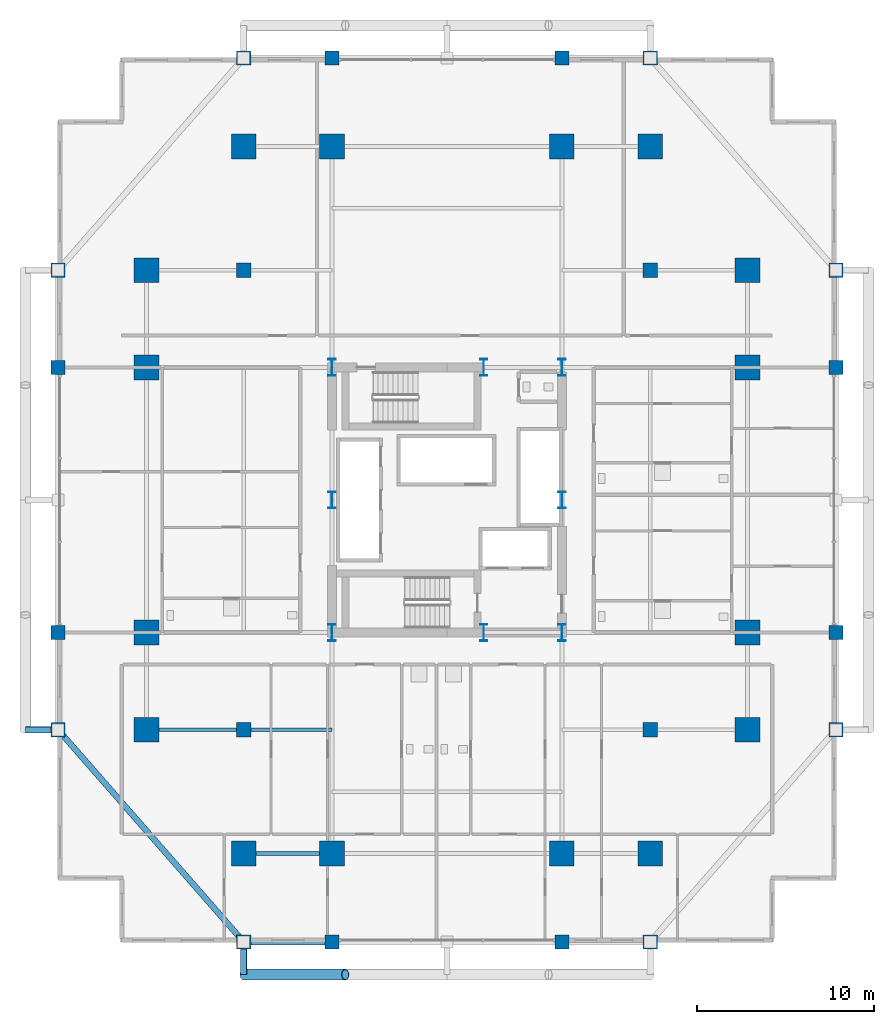
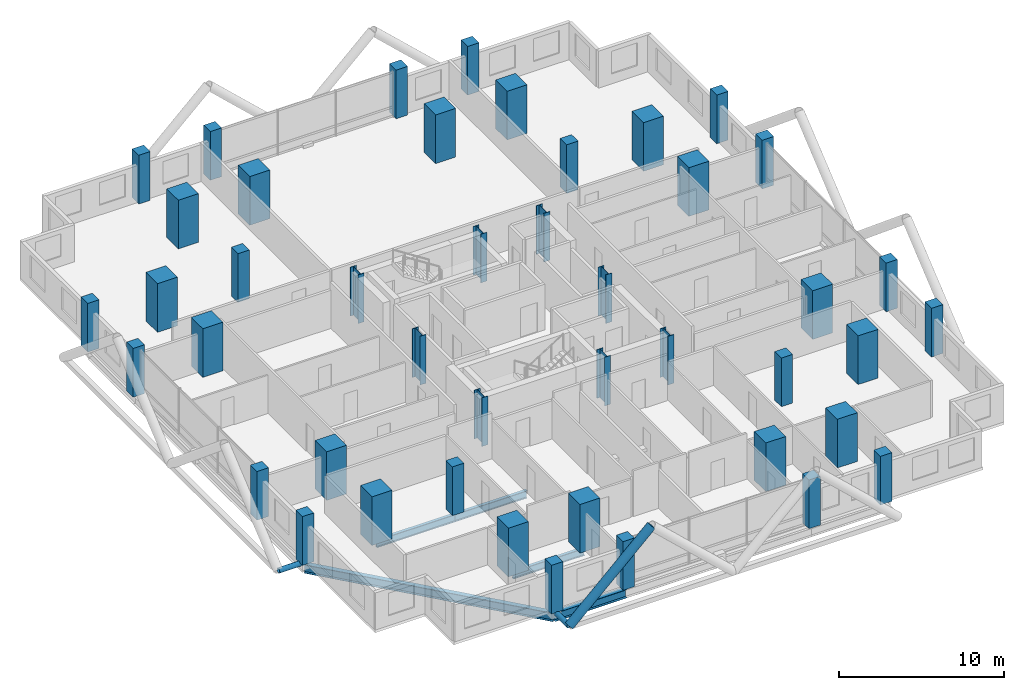
# One storey, part 1 of 27: 44 columns, 5 beams, 3 members.
"""IFC4 building model written with IfcOpenShell, lengths in metres."""

from ifc_helpers import new_model, si_unit, direction, frame, origin, origin_2d, place, context, subcontext, project, spatial, rectangle, hollow_circle, i_section, extrude, material, material_profile, profile_set, type_object, element, save


model = new_model("IFC4")

# Units and contexts
model_context = context("Model", 3, precision=1e-05, world=origin(), true_north=direction((0.0, 1.0)))
body_context = subcontext(model_context, "Body", "Model", "MODEL_VIEW")
ifc_project = project(units=[si_unit("LENGTHUNIT", "METRE"), si_unit("AREAUNIT", "SQUARE_METRE"), si_unit("VOLUMEUNIT", "CUBIC_METRE"), si_unit("PLANEANGLEUNIT", "RADIAN"), si_unit("MASSUNIT", "GRAM", prefix="KILO")], contexts=[model_context])

# Site, building, storey
site_placement = place(None, origin())
site = spatial("IfcSite", under=ifc_project, at=site_placement, CompositionType="ELEMENT")
building_placement = place(site_placement, origin())
building = spatial("IfcBuilding", under=site, at=building_placement, Name="Barlavira Tower and Art Museum", CompositionType="ELEMENT")
storey_placement = place(building_placement, frame((0.0, 0.0, 72.0)))
storey = spatial("IfcBuildingStorey", under=building, at=storey_placement, Name="L17", CompositionType="ELEMENT", Elevation=72.0)

# Columns
ifc_material_1 = material(Name="Steel S355", Category="steel")
ifc_material_profile_1 = material_profile(ifc_material_1, i_section(OverallWidth=0.419921875, OverallDepth=0.9599609375, WebThickness=0.02197265625, FlangeThickness=0.033935546875, at=origin_2d()), Name="W920x387.0")
ifc_profile_set_1 = profile_set([ifc_material_profile_1], Name="Steel S355")
column_type_1 = type_object("IfcColumnType", Name="Core Composite Column W920x387 Steel S355", PredefinedType="COLUMN", material=ifc_profile_set_1)
for number, where, z_axis, x_axis, name in (
    (1, (-6.5, -7.5, 0.0), (0.0, 0.0, 1.0), (1.0, 0.0, 0.0), "L17 Column CC-L17-C1"),
    (2, (2.080078125, -7.5, 0.0), (0.0, 0.0, 1.0), (1.0, 0.0, 0.0), "L17 Column CC-L17-C2"),
    (3, (6.5, -7.5, 0.0), (0.0, 0.0, 1.0), (1.0, 0.0, 0.0), "L17 Column CC-L17-C3"),
    (4, (-6.5, 0.0, 0.0), (0.0, 0.0, 1.0), (1.0, 0.0, 0.0), "L17 Column CC-L17-C4"),
    (5, (6.5, 0.0, 0.0), (0.0, 0.0, 1.0), (1.0, 0.0, 0.0), "L17 Column CC-L17-C5"),
    (6, (-6.5, 7.5, 0.0), (0.0, 0.0, 1.0), (1.0, 0.0, 0.0), "L17 Column CC-L17-C6"),
    (7, (2.080078125, 7.5, 0.0), (0.0, 0.0, 1.0), (1.0, 0.0, 0.0), "L17 Column CC-L17-C7"),
    (8, (6.5, 7.5, 0.0), (0.0, 0.0, 1.0), (1.0, 0.0, 0.0), "L17 Column CC-L17-C8"),
):
    element("IfcColumn", number, at=place(storey_placement, frame(where, z_axis=z_axis, x_axis=x_axis)), inside=storey, type_object=column_type_1, Name=name, PredefinedType="COLUMN", context=body_context, shape_type="SweptSolid", body=[
        extrude(i_section(OverallWidth=0.419921875, OverallDepth=0.9599609375, WebThickness=0.02197265625, FlangeThickness=0.033935546875, at=origin_2d()), origin(), (0.0, 0.0, 1.0), 3.60009765625),
    ])
ifc_material_2 = material(Name="Concrete C60", Category="concrete")
ifc_material_profile_2 = material_profile(ifc_material_2, rectangle(XDim=1.39990234375, YDim=1.39990234375, at=origin_2d()), Name="RC-MCOL 1400x1400")
ifc_profile_set_2 = profile_set([ifc_material_profile_2], Name="Concrete C60")
column_type_2 = type_object("IfcColumnType", Name="Perimeter Mega Column 1400x1400 Concrete C60", PredefinedType="USERDEFINED", material=ifc_profile_set_2)
for number, where, z_axis, x_axis, name in (
    (9, (-11.5, -20.0, 0.0), (0.0, 0.0, 1.0), (1.0, 0.0, 0.0), "L17 Column MC-L17-M01"),
    (10, (-6.5, -20.0, 0.0), (0.0, 0.0, 1.0), (1.0, 0.0, 0.0), "L17 Column MC-L17-M02"),
    (11, (6.5, -20.0, 0.0), (0.0, 0.0, 1.0), (1.0, 0.0, 0.0), "L17 Column MC-L17-M03"),
    (12, (11.5, -20.0, 0.0), (0.0, 0.0, 1.0), (1.0, 0.0, 0.0), "L17 Column MC-L17-M04"),
    (13, (17.0, -13.0, 0.0), (0.0, 0.0, 1.0), (1.0, 0.0, 0.0), "L17 Column MC-L17-M05"),
    (14, (17.0, -7.5, 0.0), (0.0, 0.0, 1.0), (1.0, 0.0, 0.0), "L17 Column MC-L17-M06"),
    (15, (17.0, 7.5, 0.0), (0.0, 0.0, 1.0), (1.0, 0.0, 0.0), "L17 Column MC-L17-M07"),
    (16, (17.0, 13.0, 0.0), (0.0, 0.0, 1.0), (1.0, 0.0, 0.0), "L17 Column MC-L17-M08"),
    (17, (11.5, 20.0, 0.0), (0.0, 0.0, 1.0), (1.0, 0.0, 0.0), "L17 Column MC-L17-M09"),
    (18, (6.5, 20.0, 0.0), (0.0, 0.0, 1.0), (1.0, 0.0, 0.0), "L17 Column MC-L17-M10"),
    (19, (-6.5, 20.0, 0.0), (0.0, 0.0, 1.0), (1.0, 0.0, 0.0), "L17 Column MC-L17-M11"),
    (20, (-11.5, 20.0, 0.0), (0.0, 0.0, 1.0), (1.0, 0.0, 0.0), "L17 Column MC-L17-M12"),
    (21, (-17.0, 13.0, 0.0), (0.0, 0.0, 1.0), (1.0, 0.0, 0.0), "L17 Column MC-L17-M13"),
    (22, (-17.0, 7.5, 0.0), (0.0, 0.0, 1.0), (1.0, 0.0, 0.0), "L17 Column MC-L17-M14"),
    (23, (-17.0, -7.5, 0.0), (0.0, 0.0, 1.0), (1.0, 0.0, 0.0), "L17 Column MC-L17-M15"),
    (24, (-17.0, -13.0, 0.0), (0.0, 0.0, 1.0), (1.0, 0.0, 0.0), "L17 Column MC-L17-M16"),
):
    element("IfcColumn", number, at=place(storey_placement, frame(where, z_axis=z_axis, x_axis=x_axis)), inside=storey, type_object=column_type_2, Name=name, ObjectType="MEGA COLUMN", PredefinedType="USERDEFINED", context=body_context, shape_type="SweptSolid", body=[
        extrude(rectangle(XDim=1.39990234375, YDim=1.39990234375, at=origin_2d()), origin(), (0.0, 0.0, 1.0), 3.60009765625),
    ])
ifc_material_3 = material(Name="Concrete C50", Category="concrete")
ifc_material_profile_3 = material_profile(ifc_material_3, rectangle(XDim=0.800048828125, YDim=0.800048828125, at=origin_2d()), Name="RC-COL 800x800")
ifc_profile_set_3 = profile_set([ifc_material_profile_3], Name="Concrete C50")
column_type_3 = type_object("IfcColumnType", Name="Podium Frame Column 800x800 Concrete C50", PredefinedType="COLUMN", material=ifc_profile_set_3)
for number, where, z_axis, x_axis, name in (
    (25, (-11.5, -13.0, 0.0), (0.0, 0.0, 1.0), (1.0, 0.0, 0.0), "L17 Column CI-L17-I1"),
    (26, (11.5, -13.0, 0.0), (0.0, 0.0, 1.0), (1.0, 0.0, 0.0), "L17 Column CI-L17-I2"),
    (27, (-11.5, 13.0, 0.0), (0.0, 0.0, 1.0), (1.0, 0.0, 0.0), "L17 Column CI-L17-I3"),
    (28, (11.5, 13.0, 0.0), (0.0, 0.0, 1.0), (1.0, 0.0, 0.0), "L17 Column CI-L17-I4"),
    (29, (-11.5, -25.0, 0.0), (0.0, 0.0, 1.0), (1.0, 0.0, 0.0), "L17 Column CZ1-L17-N01"),
    (30, (-6.5, -25.0, 0.0), (0.0, 0.0, 1.0), (1.0, 0.0, 0.0), "L17 Column CZ1-L17-N02"),
    (31, (6.5, -25.0, 0.0), (0.0, 0.0, 1.0), (1.0, 0.0, 0.0), "L17 Column CZ1-L17-N02B"),
    (32, (11.5, -25.0, 0.0), (0.0, 0.0, 1.0), (1.0, 0.0, 0.0), "L17 Column CZ1-L17-N03"),
    (33, (-22.0, -13.0, 0.0), (0.0, 0.0, 1.0), (1.0, 0.0, 0.0), "L17 Column CZ1-L17-N04"),
    (34, (-22.0, -7.5, 0.0), (0.0, 0.0, 1.0), (1.0, 0.0, 0.0), "L17 Column CZ1-L17-N05"),
    (35, (-22.0, 7.5, 0.0), (0.0, 0.0, 1.0), (1.0, 0.0, 0.0), "L17 Column CZ1-L17-N05B"),
    (36, (-22.0, 13.0, 0.0), (0.0, 0.0, 1.0), (1.0, 0.0, 0.0), "L17 Column CZ1-L17-N06"),
    (37, (-11.5, 25.0, 0.0), (0.0, 0.0, 1.0), (1.0, 0.0, 0.0), "L17 Column CZ1-L17-N07"),
    (38, (-6.5, 25.0, 0.0), (0.0, 0.0, 1.0), (1.0, 0.0, 0.0), "L17 Column CZ1-L17-N08"),
    (39, (6.5, 25.0, 0.0), (0.0, 0.0, 1.0), (1.0, 0.0, 0.0), "L17 Column CZ1-L17-N08B"),
    (40, (11.5, 25.0, 0.0), (0.0, 0.0, 1.0), (1.0, 0.0, 0.0), "L17 Column CZ1-L17-N09"),
    (41, (22.0, -13.0, 0.0), (0.0, 0.0, 1.0), (1.0, 0.0, 0.0), "L17 Column CZ1-L17-N10"),
    (42, (22.0, -7.5, 0.0), (0.0, 0.0, 1.0), (1.0, 0.0, 0.0), "L17 Column CZ1-L17-N11"),
    (43, (22.0, 7.5, 0.0), (0.0, 0.0, 1.0), (1.0, 0.0, 0.0), "L17 Column CZ1-L17-N11B"),
    (44, (22.0, 13.0, 0.0), (0.0, 0.0, 1.0), (1.0, 0.0, 0.0), "L17 Column CZ1-L17-N12"),
):
    element("IfcColumn", number, at=place(storey_placement, frame(where, z_axis=z_axis, x_axis=x_axis)), inside=storey, type_object=column_type_3, Name=name, PredefinedType="COLUMN", context=body_context, shape_type="SweptSolid", body=[
        extrude(rectangle(XDim=0.800048828125, YDim=0.800048828125, at=origin_2d()), origin(), (0.0, 0.0, 1.0), 3.60009765625),
    ])

# Members
ifc_material_profile_4 = material_profile(ifc_material_1, hollow_circle(Radius=0.304931640625, WallThickness=0.028076171875, at=origin_2d()), Name="CHS 610.0x28.0")
ifc_profile_set_4 = profile_set([ifc_material_profile_4], Name="Steel S355")
member_type_1 = type_object("IfcMemberType", Name="Pale-Metal Exoskeleton Diagrid Tube CHS 610x28 Steel S355", PredefinedType="BRACE", material=ifc_profile_set_4)
member_placement = place(storey_placement, frame((-11.5, -26.85009765625, -0.1201171875), z_axis=(0.728934650808, 0.0, 0.684583285548), x_axis=(0.0, 1.0, 0.0)))
element("IfcMember", 45, at=member_placement, inside=storey, type_object=member_type_1, Name="L17 Exoskeleton Diagrid Tube S", PredefinedType="BRACE", context=body_context, shape_type="SweptSolid", body=[
    extrude(hollow_circle(Radius=0.304931640625, WallThickness=0.028076171875, at=origin_2d()), origin(), (0.0, 0.0, 1.0), 7.88818359375),
])
ifc_material_profile_5 = material_profile(ifc_material_1, hollow_circle(Radius=0.177734375, WallThickness=0.01611328125, at=origin_2d()), Name="CHS 355.6x16.0")
ifc_profile_set_5 = profile_set([ifc_material_profile_5], Name="Steel S355")
member_type_2 = type_object("IfcMemberType", Name="Pale-Metal Exoskeleton Tie Strut CHS 356x16 Steel S355", PredefinedType="STRUT", material=ifc_profile_set_5)
for number, where, z_axis, x_axis, name in (
    (46, (-11.5, -26.85009765625, -0.1201171875), (0.0, 1.0, 0.0), (-1.0, 0.0, 0.0), "L17 Exoskeleton Tie Strut S1"),
    (47, (-23.85009765625, -13.0, -0.1201171875), (1.0, 0.0, 0.0), (0.0, 1.0, 0.0), "L17 Exoskeleton Tie Strut W1"),
):
    element("IfcMember", number, at=place(storey_placement, frame(where, z_axis=z_axis, x_axis=x_axis)), inside=storey, type_object=member_type_2, Name=name, PredefinedType="STRUT", context=body_context, shape_type="SweptSolid", body=[
        extrude(hollow_circle(Radius=0.177734375, WallThickness=0.01611328125, at=origin_2d()), origin(), (0.0, 0.0, 1.0), 1.85009765625),
    ])

# Beams
ifc_material_profile_6 = material_profile(ifc_material_1, i_section(OverallWidth=0.327880859375, OverallDepth=0.62890625, WebThickness=0.013916015625, FlangeThickness=0.021484375, at=origin_2d()), Name="W610x174.0")
ifc_profile_set_6 = profile_set([ifc_material_profile_6], Name="Steel S355")
beam_type_1 = type_object("IfcBeamType", Name="Perimeter Spandrel Edge Beam W610x174 Steel S355", PredefinedType="SPANDREL", material=ifc_profile_set_6)
beam_1_placement = place(storey_placement, frame((-11.5, -25.0, -0.534423828125), z_axis=(1.0, 0.0, 0.0), x_axis=(0.0, 1.0, 0.0)))
element("IfcBeam", 48, at=beam_1_placement, inside=storey, type_object=beam_type_1, Name="L17 Spandrel 1", PredefinedType="SPANDREL", context=body_context, shape_type="SweptSolid", body=[
    extrude(i_section(OverallWidth=0.327880859375, OverallDepth=0.62890625, WebThickness=0.013916015625, FlangeThickness=0.021484375, at=origin_2d()), origin(), (0.0, 0.0, 1.0), 5.0),
])
beam_2_placement = place(storey_placement, frame((-22.0, -13.0, -0.534423828125), z_axis=(0.658504607869, -0.752576694707, 0.0), x_axis=(0.752576694707, 0.658504607869, 0.0)))
element("IfcBeam", 49, at=beam_2_placement, inside=storey, type_object=beam_type_1, Name="L17 Spandrel 16", PredefinedType="SPANDREL", context=body_context, shape_type="SweptSolid", body=[
    extrude(i_section(OverallWidth=0.327880859375, OverallDepth=0.62890625, WebThickness=0.013916015625, FlangeThickness=0.021484375, at=origin_2d()), origin(), (0.0, 0.0, 1.0), 15.9453125),
])
ifc_material_profile_7 = material_profile(ifc_material_1, i_section(OverallWidth=0.214111328125, OverallDepth=0.549072265625, WebThickness=0.0146484375, FlangeThickness=0.023681640625, at=origin_2d()), Name="W530x138.0")
ifc_profile_set_7 = profile_set([ifc_material_profile_7], Name="Steel S355")
beam_type_2 = type_object("IfcBeamType", Name="Zone 1 Primary Floor Girder W530x138 Steel S355", PredefinedType="BEAM", material=ifc_profile_set_7)
beam_3_placement = place(storey_placement, frame((-11.5, -20.0, -0.494384765625), z_axis=(1.0, 0.0, 0.0), x_axis=(0.0, 1.0, 0.0)))
element("IfcBeam", 50, at=beam_3_placement, inside=storey, type_object=beam_type_2, Name="L17 Girder M-S1", PredefinedType="BEAM", context=body_context, shape_type="SweptSolid", body=[
    extrude(i_section(OverallWidth=0.214111328125, OverallDepth=0.549072265625, WebThickness=0.0146484375, FlangeThickness=0.023681640625, at=origin_2d()), origin(), (0.0, 0.0, 1.0), 5.0),
])
beam_4_placement = place(storey_placement, frame((-17.0, -13.0, -0.494384765625), z_axis=(1.0, 0.0, 0.0), x_axis=(0.0, 1.0, 0.0)))
element("IfcBeam", 51, at=beam_4_placement, inside=storey, type_object=beam_type_2, Name="L17 Girder I-S1", PredefinedType="BEAM", context=body_context, shape_type="SweptSolid", body=[
    extrude(i_section(OverallWidth=0.214111328125, OverallDepth=0.549072265625, WebThickness=0.0146484375, FlangeThickness=0.023681640625, at=origin_2d()), origin(), (0.0, 0.0, 1.0), 5.5),
])
beam_5_placement = place(storey_placement, frame((-11.5, -13.0, -0.494384765625), z_axis=(1.0, 0.0, 0.0), x_axis=(0.0, 1.0, 0.0)))
element("IfcBeam", 52, at=beam_5_placement, inside=storey, type_object=beam_type_2, Name="L17 Girder I-S2", PredefinedType="BEAM", context=body_context, shape_type="SweptSolid", body=[
    extrude(i_section(OverallWidth=0.214111328125, OverallDepth=0.549072265625, WebThickness=0.0146484375, FlangeThickness=0.023681640625, at=origin_2d()), origin(), (0.0, 0.0, 1.0), 5.0),
])

save(model, "model.ifc")
